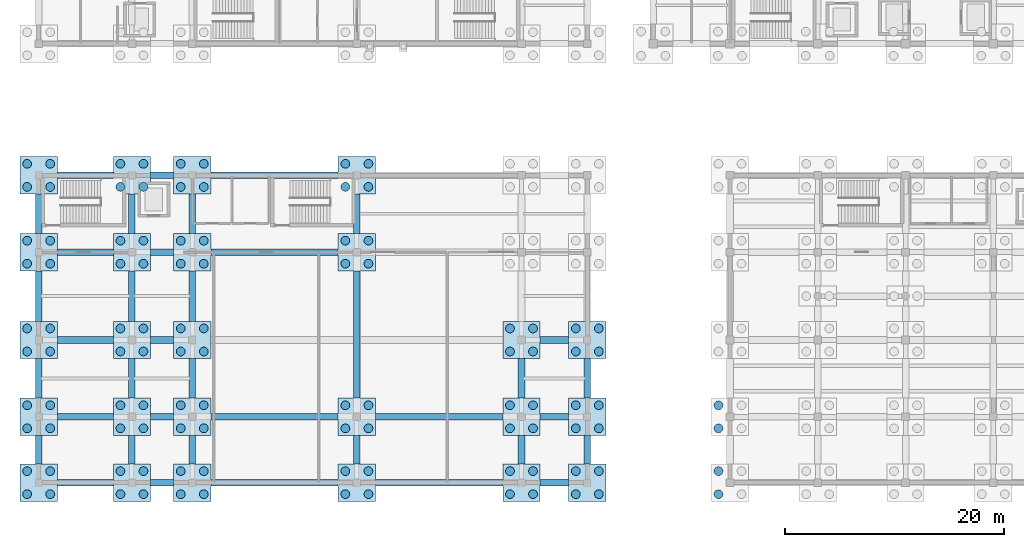
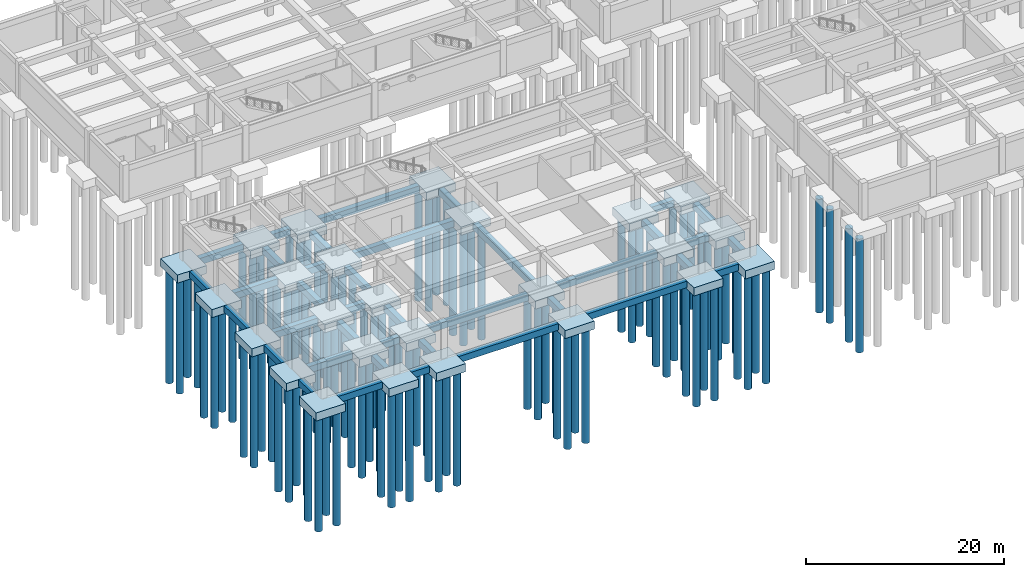
# One storey, part 1 of 28: 104 piles, 63 footings.
"""IFC4 building model written with IfcOpenShell, lengths in metres."""

from ifc_helpers import new_model, si_unit, direction, frame, origin, origin_2d, place, context, subcontext, project, spatial, rectangle, circle, extrude, material, material_profile, profile_set, type_object, element, save


model = new_model("IFC4")

# Units and contexts
model_context = context("Model", 3, precision=1e-05, world=origin(), true_north=direction((0.0, 1.0)))
body_context = subcontext(model_context, "Body", "Model", "MODEL_VIEW")
ifc_project = project(units=[si_unit("LENGTHUNIT", "METRE"), si_unit("AREAUNIT", "SQUARE_METRE"), si_unit("VOLUMEUNIT", "CUBIC_METRE"), si_unit("PLANEANGLEUNIT", "RADIAN"), si_unit("MASSUNIT", "GRAM", prefix="KILO")], contexts=[model_context])

# Site, building, storey
site_placement = place(None, origin())
site = spatial("IfcSite", under=ifc_project, at=site_placement, CompositionType="ELEMENT")
building_placement = place(site_placement, origin())
building = spatial("IfcBuilding", under=site, at=building_placement, Name="Naurynzar Civic Courthouse", CompositionType="ELEMENT")
storey_placement = place(building_placement, frame((0.0, 0.0, -4.5)))
storey = spatial("IfcBuildingStorey", under=building, at=storey_placement, Name="B01", CompositionType="ELEMENT", Elevation=-4.5)

# Footings
ifc_material_1 = material(Name="Concrete C35/45", Category="concrete")
footing_type_1 = type_object("IfcFootingType", Name="CAP-4A-3400", PredefinedType="PILE_CAP", material=ifc_material_1)
for number, where, z_axis, x_axis, name in (
    (1, (6.0, 4.0, -1.39990234375), (0.0, 0.0, 1.0), (1.0, 0.0, 0.0), "V4 pile cap 1"),
    (2, (6.0, 10.0, -1.39990234375), (0.0, 0.0, 1.0), (1.0, 0.0, 0.0), "V4 pile cap 2"),
    (3, (6.0, 17.0, -1.39990234375), (0.0, 0.0, 1.0), (1.0, 0.0, 0.0), "V4 pile cap 3"),
    (4, (6.0, 25.0, -1.39990234375), (0.0, 0.0, 1.0), (1.0, 0.0, 0.0), "V4 pile cap 4"),
    (5, (6.0, 32.0, -1.39990234375), (0.0, 0.0, 1.0), (1.0, 0.0, 0.0), "V4 pile cap 5"),
    (6, (14.5, 4.0, -1.39990234375), (0.0, 0.0, 1.0), (1.0, 0.0, 0.0), "V4 pile cap 6"),
    (7, (14.5, 10.0, -1.39990234375), (0.0, 0.0, 1.0), (1.0, 0.0, 0.0), "V4 pile cap 7"),
    (8, (14.5, 17.0, -1.39990234375), (0.0, 0.0, 1.0), (1.0, 0.0, 0.0), "V4 pile cap 8"),
    (9, (14.5, 25.0, -1.39990234375), (0.0, 0.0, 1.0), (1.0, 0.0, 0.0), "V4 pile cap 9"),
    (10, (14.5, 32.0, -1.39990234375), (0.0, 0.0, 1.0), (1.0, 0.0, 0.0), "V4 pile cap 10"),
    (11, (20.0, 4.0, -1.39990234375), (0.0, 0.0, 1.0), (1.0, 0.0, 0.0), "V4 pile cap 11"),
    (12, (20.0, 10.0, -1.39990234375), (0.0, 0.0, 1.0), (1.0, 0.0, 0.0), "V4 pile cap 12"),
    (13, (20.0, 17.0, -1.39990234375), (0.0, 0.0, 1.0), (1.0, 0.0, 0.0), "V4 pile cap 13"),
    (14, (20.0, 25.0, -1.39990234375), (0.0, 0.0, 1.0), (1.0, 0.0, 0.0), "V4 pile cap 14"),
    (15, (20.0, 32.0, -1.39990234375), (0.0, 0.0, 1.0), (1.0, 0.0, 0.0), "V4 pile cap 15"),
    (16, (35.0, 4.0, -1.39990234375), (0.0, 0.0, 1.0), (1.0, 0.0, 0.0), "V4 pile cap 16"),
    (17, (35.0, 10.0, -1.39990234375), (0.0, 0.0, 1.0), (1.0, 0.0, 0.0), "V4 pile cap 17"),
    (18, (35.0, 25.0, -1.39990234375), (0.0, 0.0, 1.0), (1.0, 0.0, 0.0), "V4 pile cap 18"),
    (19, (35.0, 32.0, -1.39990234375), (0.0, 0.0, 1.0), (1.0, 0.0, 0.0), "V4 pile cap 19"),
    (20, (50.0, 4.0, -1.39990234375), (0.0, 0.0, 1.0), (1.0, 0.0, 0.0), "V4 pile cap 20"),
    (21, (50.0, 10.0, -1.39990234375), (0.0, 0.0, 1.0), (1.0, 0.0, 0.0), "V4 pile cap 21"),
    (22, (50.0, 17.0, -1.39990234375), (0.0, 0.0, 1.0), (1.0, 0.0, 0.0), "V4 pile cap 22"),
    (23, (56.0, 4.0, -1.39990234375), (0.0, 0.0, 1.0), (1.0, 0.0, 0.0), "V4 pile cap 25"),
    (24, (56.0, 10.0, -1.39990234375), (0.0, 0.0, 1.0), (1.0, 0.0, 0.0), "V4 pile cap 26"),
    (25, (56.0, 17.0, -1.39990234375), (0.0, 0.0, 1.0), (1.0, 0.0, 0.0), "V4 pile cap 27"),
):
    element("IfcFooting", number, at=place(storey_placement, frame(where, z_axis=z_axis, x_axis=x_axis)), inside=storey, type_object=footing_type_1, Name=name, PredefinedType="PILE_CAP", context=body_context, shape_type="SweptSolid", body=[
        extrude(rectangle(XDim=3.39990234375, YDim=3.39990234375, at=origin_2d()), origin(), (0.0, 0.0, 1.0), 1.0),
    ])
ifc_material_2 = material(Name="Concrete C35/45", Category="concrete")
ifc_material_profile_1 = material_profile(ifc_material_2, rectangle(XDim=0.60009765625, YDim=0.800048828125, at=origin_2d()), Name="GB 600x800")
ifc_profile_set_1 = profile_set([ifc_material_profile_1], Name="Concrete C35/45")
footing_type_2 = type_object("IfcFootingType", Name="GB-600x800", PredefinedType="FOOTING_BEAM", material=ifc_profile_set_1)
footing_1_placement = place(storey_placement, frame((7.699951171875, 4.0, -0.800048828125), z_axis=(1.0, 0.0, 0.0), x_axis=(0.0, 1.0, 0.0)))
element("IfcFooting", 26, at=footing_1_placement, inside=storey, type_object=footing_type_2, Name="V4 ground tie beam X-1", PredefinedType="FOOTING_BEAM", context=body_context, shape_type="SweptSolid", body=[
    extrude(rectangle(XDim=0.60009765625, YDim=0.800048828125, at=origin_2d()), origin(), (0.0, 0.0, 1.0), 5.10009765625),
])
footing_2_placement = place(storey_placement, frame((16.199951171875, 4.0, -0.800048828125), z_axis=(1.0, 0.0, 0.0), x_axis=(0.0, 1.0, 0.0)))
element("IfcFooting", 27, at=footing_2_placement, inside=storey, type_object=footing_type_2, Name="V4 ground tie beam X-2", PredefinedType="FOOTING_BEAM", context=body_context, shape_type="SweptSolid", body=[
    extrude(rectangle(XDim=0.60009765625, YDim=0.800048828125, at=origin_2d()), origin(), (0.0, 0.0, 1.0), 2.10009765625),
])
for number, where, z_axis, x_axis, name in (
    (28, (21.699951171875, 4.0, -0.800048828125), (1.0, 0.0, 0.0), (0.0, 1.0, 0.0), "V4 ground tie beam X-3"),
    (29, (36.699951171875, 4.0, -0.800048828125), (1.0, 0.0, 0.0), (0.0, 1.0, 0.0), "V4 ground tie beam X-4"),
):
    element("IfcFooting", number, at=place(storey_placement, frame(where, z_axis=z_axis, x_axis=x_axis)), inside=storey, type_object=footing_type_2, Name=name, PredefinedType="FOOTING_BEAM", context=body_context, shape_type="SweptSolid", body=[
        extrude(rectangle(XDim=0.60009765625, YDim=0.800048828125, at=origin_2d()), origin(), (0.0, 0.0, 1.0), 11.60009765625),
    ])
footing_3_placement = place(storey_placement, frame((51.699951171875, 4.0, -0.800048828125), z_axis=(1.0, 0.0, 0.0), x_axis=(0.0, 1.0, 0.0)))
element("IfcFooting", 30, at=footing_3_placement, inside=storey, type_object=footing_type_2, Name="V4 ground tie beam X-5", PredefinedType="FOOTING_BEAM", context=body_context, shape_type="SweptSolid", body=[
    extrude(rectangle(XDim=0.60009765625, YDim=0.800048828125, at=origin_2d()), origin(), (0.0, 0.0, 1.0), 2.60009765625),
])
footing_4_placement = place(storey_placement, frame((7.699951171875, 10.0, -0.800048828125), z_axis=(1.0, 0.0, 0.0), x_axis=(0.0, 1.0, 0.0)))
element("IfcFooting", 31, at=footing_4_placement, inside=storey, type_object=footing_type_2, Name="V4 ground tie beam X-6", PredefinedType="FOOTING_BEAM", context=body_context, shape_type="SweptSolid", body=[
    extrude(rectangle(XDim=0.60009765625, YDim=0.800048828125, at=origin_2d()), origin(), (0.0, 0.0, 1.0), 5.10009765625),
])
footing_5_placement = place(storey_placement, frame((16.199951171875, 10.0, -0.800048828125), z_axis=(1.0, 0.0, 0.0), x_axis=(0.0, 1.0, 0.0)))
element("IfcFooting", 32, at=footing_5_placement, inside=storey, type_object=footing_type_2, Name="V4 ground tie beam X-7", PredefinedType="FOOTING_BEAM", context=body_context, shape_type="SweptSolid", body=[
    extrude(rectangle(XDim=0.60009765625, YDim=0.800048828125, at=origin_2d()), origin(), (0.0, 0.0, 1.0), 2.10009765625),
])
for number, where, z_axis, x_axis, name in (
    (33, (21.699951171875, 10.0, -0.800048828125), (1.0, 0.0, 0.0), (0.0, 1.0, 0.0), "V4 ground tie beam X-8"),
    (34, (36.699951171875, 10.0, -0.800048828125), (1.0, 0.0, 0.0), (0.0, 1.0, 0.0), "V4 ground tie beam X-9"),
):
    element("IfcFooting", number, at=place(storey_placement, frame(where, z_axis=z_axis, x_axis=x_axis)), inside=storey, type_object=footing_type_2, Name=name, PredefinedType="FOOTING_BEAM", context=body_context, shape_type="SweptSolid", body=[
        extrude(rectangle(XDim=0.60009765625, YDim=0.800048828125, at=origin_2d()), origin(), (0.0, 0.0, 1.0), 11.60009765625),
    ])
footing_6_placement = place(storey_placement, frame((51.699951171875, 10.0, -0.800048828125), z_axis=(1.0, 0.0, 0.0), x_axis=(0.0, 1.0, 0.0)))
element("IfcFooting", 35, at=footing_6_placement, inside=storey, type_object=footing_type_2, Name="V4 ground tie beam X-10", PredefinedType="FOOTING_BEAM", context=body_context, shape_type="SweptSolid", body=[
    extrude(rectangle(XDim=0.60009765625, YDim=0.800048828125, at=origin_2d()), origin(), (0.0, 0.0, 1.0), 2.60009765625),
])
footing_7_placement = place(storey_placement, frame((7.699951171875, 17.0, -0.800048828125), z_axis=(1.0, 0.0, 0.0), x_axis=(0.0, 1.0, 0.0)))
element("IfcFooting", 36, at=footing_7_placement, inside=storey, type_object=footing_type_2, Name="V4 ground tie beam X-11", PredefinedType="FOOTING_BEAM", context=body_context, shape_type="SweptSolid", body=[
    extrude(rectangle(XDim=0.60009765625, YDim=0.800048828125, at=origin_2d()), origin(), (0.0, 0.0, 1.0), 5.10009765625),
])
footing_8_placement = place(storey_placement, frame((16.199951171875, 17.0, -0.800048828125), z_axis=(1.0, 0.0, 0.0), x_axis=(0.0, 1.0, 0.0)))
element("IfcFooting", 37, at=footing_8_placement, inside=storey, type_object=footing_type_2, Name="V4 ground tie beam X-12", PredefinedType="FOOTING_BEAM", context=body_context, shape_type="SweptSolid", body=[
    extrude(rectangle(XDim=0.60009765625, YDim=0.800048828125, at=origin_2d()), origin(), (0.0, 0.0, 1.0), 2.10009765625),
])
footing_9_placement = place(storey_placement, frame((51.699951171875, 17.0, -0.800048828125), z_axis=(1.0, 0.0, 0.0), x_axis=(0.0, 1.0, 0.0)))
element("IfcFooting", 38, at=footing_9_placement, inside=storey, type_object=footing_type_2, Name="V4 ground tie beam X-13", PredefinedType="FOOTING_BEAM", context=body_context, shape_type="SweptSolid", body=[
    extrude(rectangle(XDim=0.60009765625, YDim=0.800048828125, at=origin_2d()), origin(), (0.0, 0.0, 1.0), 2.60009765625),
])
footing_10_placement = place(storey_placement, frame((7.699951171875, 25.0, -0.800048828125), z_axis=(1.0, 0.0, 0.0), x_axis=(0.0, 1.0, 0.0)))
element("IfcFooting", 39, at=footing_10_placement, inside=storey, type_object=footing_type_2, Name="V4 ground tie beam X-14", PredefinedType="FOOTING_BEAM", context=body_context, shape_type="SweptSolid", body=[
    extrude(rectangle(XDim=0.60009765625, YDim=0.800048828125, at=origin_2d()), origin(), (0.0, 0.0, 1.0), 5.10009765625),
])
footing_11_placement = place(storey_placement, frame((16.199951171875, 25.0, -0.800048828125), z_axis=(1.0, 0.0, 0.0), x_axis=(0.0, 1.0, 0.0)))
element("IfcFooting", 40, at=footing_11_placement, inside=storey, type_object=footing_type_2, Name="V4 ground tie beam X-15", PredefinedType="FOOTING_BEAM", context=body_context, shape_type="SweptSolid", body=[
    extrude(rectangle(XDim=0.60009765625, YDim=0.800048828125, at=origin_2d()), origin(), (0.0, 0.0, 1.0), 2.10009765625),
])
footing_12_placement = place(storey_placement, frame((21.699951171875, 25.0, -0.800048828125), z_axis=(1.0, 0.0, 0.0), x_axis=(0.0, 1.0, 0.0)))
element("IfcFooting", 41, at=footing_12_placement, inside=storey, type_object=footing_type_2, Name="V4 ground tie beam X-16", PredefinedType="FOOTING_BEAM", context=body_context, shape_type="SweptSolid", body=[
    extrude(rectangle(XDim=0.60009765625, YDim=0.800048828125, at=origin_2d()), origin(), (0.0, 0.0, 1.0), 11.60009765625),
])
footing_13_placement = place(storey_placement, frame((7.699951171875, 32.0, -0.800048828125), z_axis=(1.0, 0.0, 0.0), x_axis=(0.0, 1.0, 0.0)))
element("IfcFooting", 42, at=footing_13_placement, inside=storey, type_object=footing_type_2, Name="V4 ground tie beam X-19", PredefinedType="FOOTING_BEAM", context=body_context, shape_type="SweptSolid", body=[
    extrude(rectangle(XDim=0.60009765625, YDim=0.800048828125, at=origin_2d()), origin(), (0.0, 0.0, 1.0), 5.10009765625),
])
footing_14_placement = place(storey_placement, frame((16.199951171875, 32.0, -0.800048828125), z_axis=(1.0, 0.0, 0.0), x_axis=(0.0, 1.0, 0.0)))
element("IfcFooting", 43, at=footing_14_placement, inside=storey, type_object=footing_type_2, Name="V4 ground tie beam X-20", PredefinedType="FOOTING_BEAM", context=body_context, shape_type="SweptSolid", body=[
    extrude(rectangle(XDim=0.60009765625, YDim=0.800048828125, at=origin_2d()), origin(), (0.0, 0.0, 1.0), 2.10009765625),
])
footing_15_placement = place(storey_placement, frame((21.699951171875, 32.0, -0.800048828125), z_axis=(1.0, 0.0, 0.0), x_axis=(0.0, 1.0, 0.0)))
element("IfcFooting", 44, at=footing_15_placement, inside=storey, type_object=footing_type_2, Name="V4 ground tie beam X-21", PredefinedType="FOOTING_BEAM", context=body_context, shape_type="SweptSolid", body=[
    extrude(rectangle(XDim=0.60009765625, YDim=0.800048828125, at=origin_2d()), origin(), (0.0, 0.0, 1.0), 11.60009765625),
])
footing_16_placement = place(storey_placement, frame((6.0, 5.699951171875, -0.800048828125), z_axis=(0.0, 1.0, 0.0), x_axis=(-1.0, 0.0, 0.0)))
element("IfcFooting", 45, at=footing_16_placement, inside=storey, type_object=footing_type_2, Name="V4 ground tie beam Y-24", PredefinedType="FOOTING_BEAM", context=body_context, shape_type="SweptSolid", body=[
    extrude(rectangle(XDim=0.60009765625, YDim=0.800048828125, at=origin_2d()), origin(), (0.0, 0.0, 1.0), 2.60009765625),
])
footing_17_placement = place(storey_placement, frame((6.0, 11.699951171875, -0.800048828125), z_axis=(0.0, 1.0, 0.0), x_axis=(-1.0, 0.0, 0.0)))
element("IfcFooting", 46, at=footing_17_placement, inside=storey, type_object=footing_type_2, Name="V4 ground tie beam Y-25", PredefinedType="FOOTING_BEAM", context=body_context, shape_type="SweptSolid", body=[
    extrude(rectangle(XDim=0.60009765625, YDim=0.800048828125, at=origin_2d()), origin(), (0.0, 0.0, 1.0), 3.60009765625),
])
footing_18_placement = place(storey_placement, frame((6.0, 18.699951171875, -0.800048828125), z_axis=(0.0, 1.0, 0.0), x_axis=(-1.0, 0.0, 0.0)))
element("IfcFooting", 47, at=footing_18_placement, inside=storey, type_object=footing_type_2, Name="V4 ground tie beam Y-26", PredefinedType="FOOTING_BEAM", context=body_context, shape_type="SweptSolid", body=[
    extrude(rectangle(XDim=0.60009765625, YDim=0.800048828125, at=origin_2d()), origin(), (0.0, 0.0, 1.0), 4.60009765625),
])
footing_19_placement = place(storey_placement, frame((6.0, 26.699951171875, -0.800048828125), z_axis=(0.0, 1.0, 0.0), x_axis=(-1.0, 0.0, 0.0)))
element("IfcFooting", 48, at=footing_19_placement, inside=storey, type_object=footing_type_2, Name="V4 ground tie beam Y-27", PredefinedType="FOOTING_BEAM", context=body_context, shape_type="SweptSolid", body=[
    extrude(rectangle(XDim=0.60009765625, YDim=0.800048828125, at=origin_2d()), origin(), (0.0, 0.0, 1.0), 3.60009765625),
])
footing_20_placement = place(storey_placement, frame((14.5, 5.699951171875, -0.800048828125), z_axis=(0.0, 1.0, 0.0), x_axis=(-1.0, 0.0, 0.0)))
element("IfcFooting", 49, at=footing_20_placement, inside=storey, type_object=footing_type_2, Name="V4 ground tie beam Y-28", PredefinedType="FOOTING_BEAM", context=body_context, shape_type="SweptSolid", body=[
    extrude(rectangle(XDim=0.60009765625, YDim=0.800048828125, at=origin_2d()), origin(), (0.0, 0.0, 1.0), 2.60009765625),
])
footing_21_placement = place(storey_placement, frame((14.5, 11.699951171875, -0.800048828125), z_axis=(0.0, 1.0, 0.0), x_axis=(-1.0, 0.0, 0.0)))
element("IfcFooting", 50, at=footing_21_placement, inside=storey, type_object=footing_type_2, Name="V4 ground tie beam Y-29", PredefinedType="FOOTING_BEAM", context=body_context, shape_type="SweptSolid", body=[
    extrude(rectangle(XDim=0.60009765625, YDim=0.800048828125, at=origin_2d()), origin(), (0.0, 0.0, 1.0), 3.60009765625),
])
footing_22_placement = place(storey_placement, frame((14.5, 18.699951171875, -0.800048828125), z_axis=(0.0, 1.0, 0.0), x_axis=(-1.0, 0.0, 0.0)))
element("IfcFooting", 51, at=footing_22_placement, inside=storey, type_object=footing_type_2, Name="V4 ground tie beam Y-30", PredefinedType="FOOTING_BEAM", context=body_context, shape_type="SweptSolid", body=[
    extrude(rectangle(XDim=0.60009765625, YDim=0.800048828125, at=origin_2d()), origin(), (0.0, 0.0, 1.0), 4.60009765625),
])
footing_23_placement = place(storey_placement, frame((14.5, 26.699951171875, -0.800048828125), z_axis=(0.0, 1.0, 0.0), x_axis=(-1.0, 0.0, 0.0)))
element("IfcFooting", 52, at=footing_23_placement, inside=storey, type_object=footing_type_2, Name="V4 ground tie beam Y-31", PredefinedType="FOOTING_BEAM", context=body_context, shape_type="SweptSolid", body=[
    extrude(rectangle(XDim=0.60009765625, YDim=0.800048828125, at=origin_2d()), origin(), (0.0, 0.0, 1.0), 3.60009765625),
])
footing_24_placement = place(storey_placement, frame((20.0, 5.699951171875, -0.800048828125), z_axis=(0.0, 1.0, 0.0), x_axis=(-1.0, 0.0, 0.0)))
element("IfcFooting", 53, at=footing_24_placement, inside=storey, type_object=footing_type_2, Name="V4 ground tie beam Y-32", PredefinedType="FOOTING_BEAM", context=body_context, shape_type="SweptSolid", body=[
    extrude(rectangle(XDim=0.60009765625, YDim=0.800048828125, at=origin_2d()), origin(), (0.0, 0.0, 1.0), 2.60009765625),
])
footing_25_placement = place(storey_placement, frame((20.0, 11.699951171875, -0.800048828125), z_axis=(0.0, 1.0, 0.0), x_axis=(-1.0, 0.0, 0.0)))
element("IfcFooting", 54, at=footing_25_placement, inside=storey, type_object=footing_type_2, Name="V4 ground tie beam Y-33", PredefinedType="FOOTING_BEAM", context=body_context, shape_type="SweptSolid", body=[
    extrude(rectangle(XDim=0.60009765625, YDim=0.800048828125, at=origin_2d()), origin(), (0.0, 0.0, 1.0), 3.60009765625),
])
footing_26_placement = place(storey_placement, frame((20.0, 18.699951171875, -0.800048828125), z_axis=(0.0, 1.0, 0.0), x_axis=(-1.0, 0.0, 0.0)))
element("IfcFooting", 55, at=footing_26_placement, inside=storey, type_object=footing_type_2, Name="V4 ground tie beam Y-34", PredefinedType="FOOTING_BEAM", context=body_context, shape_type="SweptSolid", body=[
    extrude(rectangle(XDim=0.60009765625, YDim=0.800048828125, at=origin_2d()), origin(), (0.0, 0.0, 1.0), 4.60009765625),
])
footing_27_placement = place(storey_placement, frame((20.0, 26.699951171875, -0.800048828125), z_axis=(0.0, 1.0, 0.0), x_axis=(-1.0, 0.0, 0.0)))
element("IfcFooting", 56, at=footing_27_placement, inside=storey, type_object=footing_type_2, Name="V4 ground tie beam Y-35", PredefinedType="FOOTING_BEAM", context=body_context, shape_type="SweptSolid", body=[
    extrude(rectangle(XDim=0.60009765625, YDim=0.800048828125, at=origin_2d()), origin(), (0.0, 0.0, 1.0), 3.60009765625),
])
footing_28_placement = place(storey_placement, frame((35.0, 5.699951171875, -0.800048828125), z_axis=(0.0, 1.0, 0.0), x_axis=(-1.0, 0.0, 0.0)))
element("IfcFooting", 57, at=footing_28_placement, inside=storey, type_object=footing_type_2, Name="V4 ground tie beam Y-36", PredefinedType="FOOTING_BEAM", context=body_context, shape_type="SweptSolid", body=[
    extrude(rectangle(XDim=0.60009765625, YDim=0.800048828125, at=origin_2d()), origin(), (0.0, 0.0, 1.0), 2.60009765625),
])
footing_29_placement = place(storey_placement, frame((35.0, 11.699951171875, -0.800048828125), z_axis=(0.0, 1.0, 0.0), x_axis=(-1.0, 0.0, 0.0)))
element("IfcFooting", 58, at=footing_29_placement, inside=storey, type_object=footing_type_2, Name="V4 ground tie beam Y-37", PredefinedType="FOOTING_BEAM", context=body_context, shape_type="SweptSolid", body=[
    extrude(rectangle(XDim=0.60009765625, YDim=0.800048828125, at=origin_2d()), origin(), (0.0, 0.0, 1.0), 11.60009765625),
])
footing_30_placement = place(storey_placement, frame((35.0, 26.699951171875, -0.800048828125), z_axis=(0.0, 1.0, 0.0), x_axis=(-1.0, 0.0, 0.0)))
element("IfcFooting", 59, at=footing_30_placement, inside=storey, type_object=footing_type_2, Name="V4 ground tie beam Y-38", PredefinedType="FOOTING_BEAM", context=body_context, shape_type="SweptSolid", body=[
    extrude(rectangle(XDim=0.60009765625, YDim=0.800048828125, at=origin_2d()), origin(), (0.0, 0.0, 1.0), 3.60009765625),
])
footing_31_placement = place(storey_placement, frame((50.0, 5.699951171875, -0.800048828125), z_axis=(0.0, 1.0, 0.0), x_axis=(-1.0, 0.0, 0.0)))
element("IfcFooting", 60, at=footing_31_placement, inside=storey, type_object=footing_type_2, Name="V4 ground tie beam Y-39", PredefinedType="FOOTING_BEAM", context=body_context, shape_type="SweptSolid", body=[
    extrude(rectangle(XDim=0.60009765625, YDim=0.800048828125, at=origin_2d()), origin(), (0.0, 0.0, 1.0), 2.60009765625),
])
footing_32_placement = place(storey_placement, frame((50.0, 11.699951171875, -0.800048828125), z_axis=(0.0, 1.0, 0.0), x_axis=(-1.0, 0.0, 0.0)))
element("IfcFooting", 61, at=footing_32_placement, inside=storey, type_object=footing_type_2, Name="V4 ground tie beam Y-40", PredefinedType="FOOTING_BEAM", context=body_context, shape_type="SweptSolid", body=[
    extrude(rectangle(XDim=0.60009765625, YDim=0.800048828125, at=origin_2d()), origin(), (0.0, 0.0, 1.0), 3.60009765625),
])
footing_33_placement = place(storey_placement, frame((56.0, 5.699951171875, -0.800048828125), z_axis=(0.0, 1.0, 0.0), x_axis=(-1.0, 0.0, 0.0)))
element("IfcFooting", 62, at=footing_33_placement, inside=storey, type_object=footing_type_2, Name="V4 ground tie beam Y-43", PredefinedType="FOOTING_BEAM", context=body_context, shape_type="SweptSolid", body=[
    extrude(rectangle(XDim=0.60009765625, YDim=0.800048828125, at=origin_2d()), origin(), (0.0, 0.0, 1.0), 2.60009765625),
])
footing_34_placement = place(storey_placement, frame((56.0, 11.699951171875, -0.800048828125), z_axis=(0.0, 1.0, 0.0), x_axis=(-1.0, 0.0, 0.0)))
element("IfcFooting", 63, at=footing_34_placement, inside=storey, type_object=footing_type_2, Name="V4 ground tie beam Y-44", PredefinedType="FOOTING_BEAM", context=body_context, shape_type="SweptSolid", body=[
    extrude(rectangle(XDim=0.60009765625, YDim=0.800048828125, at=origin_2d()), origin(), (0.0, 0.0, 1.0), 3.60009765625),
])

# Piles
ifc_material_3 = material(Name="Concrete C35/45", Category="concrete")
ifc_material_profile_2 = material_profile(ifc_material_3, circle(Radius=0.39990234375, at=origin_2d()), Name="PILE D800")
ifc_profile_set_2 = profile_set([ifc_material_profile_2], Name="Concrete C35/45")
pile_type = type_object("IfcPileType", Name="PILE-BORED-D800", PredefinedType="BORED", material=ifc_profile_set_2)
for number, where, z_axis, x_axis, name in (
    (64, (67.949951171875, 2.949951171875, -1.39990234375), (0.0, 0.0, -1.0), (1.0, 0.0, 0.0), "V3 bored pile 1.1"),
    (65, (67.949951171875, 5.050048828125, -1.39990234375), (0.0, 0.0, -1.0), (1.0, 0.0, 0.0), "V3 bored pile 1.3"),
    (66, (67.949951171875, 8.949951171875, -1.39990234375), (0.0, 0.0, -1.0), (1.0, 0.0, 0.0), "V3 bored pile 2.1"),
    (67, (67.949951171875, 11.050048828125, -1.39990234375), (0.0, 0.0, -1.0), (1.0, 0.0, 0.0), "V3 bored pile 2.3"),
    (68, (4.949951171875, 2.949951171875, -1.39990234375), (0.0, 0.0, -1.0), (1.0, 0.0, 0.0), "V4 bored pile 1.1"),
    (69, (7.050048828125, 2.949951171875, -1.39990234375), (0.0, 0.0, -1.0), (1.0, 0.0, 0.0), "V4 bored pile 1.2"),
    (70, (4.949951171875, 5.050048828125, -1.39990234375), (0.0, 0.0, -1.0), (1.0, 0.0, 0.0), "V4 bored pile 1.3"),
    (71, (7.050048828125, 5.050048828125, -1.39990234375), (0.0, 0.0, -1.0), (1.0, 0.0, 0.0), "V4 bored pile 1.4"),
    (72, (4.949951171875, 8.949951171875, -1.39990234375), (0.0, 0.0, -1.0), (1.0, 0.0, 0.0), "V4 bored pile 2.1"),
    (73, (7.050048828125, 8.949951171875, -1.39990234375), (0.0, 0.0, -1.0), (1.0, 0.0, 0.0), "V4 bored pile 2.2"),
    (74, (4.949951171875, 11.050048828125, -1.39990234375), (0.0, 0.0, -1.0), (1.0, 0.0, 0.0), "V4 bored pile 2.3"),
    (75, (7.050048828125, 11.050048828125, -1.39990234375), (0.0, 0.0, -1.0), (1.0, 0.0, 0.0), "V4 bored pile 2.4"),
    (76, (4.949951171875, 15.949951171875, -1.39990234375), (0.0, 0.0, -1.0), (1.0, 0.0, 0.0), "V4 bored pile 3.1"),
    (77, (7.050048828125, 15.949951171875, -1.39990234375), (0.0, 0.0, -1.0), (1.0, 0.0, 0.0), "V4 bored pile 3.2"),
    (78, (4.949951171875, 18.050048828125, -1.39990234375), (0.0, 0.0, -1.0), (1.0, 0.0, 0.0), "V4 bored pile 3.3"),
    (79, (7.050048828125, 18.050048828125, -1.39990234375), (0.0, 0.0, -1.0), (1.0, 0.0, 0.0), "V4 bored pile 3.4"),
    (80, (4.949951171875, 23.949951171875, -1.39990234375), (0.0, 0.0, -1.0), (1.0, 0.0, 0.0), "V4 bored pile 4.1"),
    (81, (7.050048828125, 23.949951171875, -1.39990234375), (0.0, 0.0, -1.0), (1.0, 0.0, 0.0), "V4 bored pile 4.2"),
    (82, (4.949951171875, 26.050048828125, -1.39990234375), (0.0, 0.0, -1.0), (1.0, 0.0, 0.0), "V4 bored pile 4.3"),
    (83, (7.050048828125, 26.050048828125, -1.39990234375), (0.0, 0.0, -1.0), (1.0, 0.0, 0.0), "V4 bored pile 4.4"),
    (84, (4.949951171875, 30.949951171875, -1.39990234375), (0.0, 0.0, -1.0), (1.0, 0.0, 0.0), "V4 bored pile 5.1"),
    (85, (7.050048828125, 30.949951171875, -1.39990234375), (0.0, 0.0, -1.0), (1.0, 0.0, 0.0), "V4 bored pile 5.2"),
    (86, (4.949951171875, 33.050048828125, -1.39990234375), (0.0, 0.0, -1.0), (1.0, 0.0, 0.0), "V4 bored pile 5.3"),
    (87, (7.050048828125, 33.050048828125, -1.39990234375), (0.0, 0.0, -1.0), (1.0, 0.0, 0.0), "V4 bored pile 5.4"),
    (88, (13.449951171875, 2.949951171875, -1.39990234375), (0.0, 0.0, -1.0), (1.0, 0.0, 0.0), "V4 bored pile 6.1"),
    (89, (15.550048828125, 2.949951171875, -1.39990234375), (0.0, 0.0, -1.0), (1.0, 0.0, 0.0), "V4 bored pile 6.2"),
    (90, (13.449951171875, 5.050048828125, -1.39990234375), (0.0, 0.0, -1.0), (1.0, 0.0, 0.0), "V4 bored pile 6.3"),
    (91, (15.550048828125, 5.050048828125, -1.39990234375), (0.0, 0.0, -1.0), (1.0, 0.0, 0.0), "V4 bored pile 6.4"),
    (92, (13.449951171875, 8.949951171875, -1.39990234375), (0.0, 0.0, -1.0), (1.0, 0.0, 0.0), "V4 bored pile 7.1"),
    (93, (15.550048828125, 8.949951171875, -1.39990234375), (0.0, 0.0, -1.0), (1.0, 0.0, 0.0), "V4 bored pile 7.2"),
    (94, (13.449951171875, 11.050048828125, -1.39990234375), (0.0, 0.0, -1.0), (1.0, 0.0, 0.0), "V4 bored pile 7.3"),
    (95, (15.550048828125, 11.050048828125, -1.39990234375), (0.0, 0.0, -1.0), (1.0, 0.0, 0.0), "V4 bored pile 7.4"),
    (96, (13.449951171875, 15.949951171875, -1.39990234375), (0.0, 0.0, -1.0), (1.0, 0.0, 0.0), "V4 bored pile 8.1"),
    (97, (15.550048828125, 15.949951171875, -1.39990234375), (0.0, 0.0, -1.0), (1.0, 0.0, 0.0), "V4 bored pile 8.2"),
    (98, (13.449951171875, 18.050048828125, -1.39990234375), (0.0, 0.0, -1.0), (1.0, 0.0, 0.0), "V4 bored pile 8.3"),
    (99, (15.550048828125, 18.050048828125, -1.39990234375), (0.0, 0.0, -1.0), (1.0, 0.0, 0.0), "V4 bored pile 8.4"),
    (100, (13.449951171875, 23.949951171875, -1.39990234375), (0.0, 0.0, -1.0), (1.0, 0.0, 0.0), "V4 bored pile 9.1"),
    (101, (15.550048828125, 23.949951171875, -1.39990234375), (0.0, 0.0, -1.0), (1.0, 0.0, 0.0), "V4 bored pile 9.2"),
    (102, (13.449951171875, 26.050048828125, -1.39990234375), (0.0, 0.0, -1.0), (1.0, 0.0, 0.0), "V4 bored pile 9.3"),
    (103, (15.550048828125, 26.050048828125, -1.39990234375), (0.0, 0.0, -1.0), (1.0, 0.0, 0.0), "V4 bored pile 9.4"),
    (104, (13.449951171875, 30.949951171875, -1.39990234375), (0.0, 0.0, -1.0), (1.0, 0.0, 0.0), "V4 bored pile 10.1"),
    (105, (15.550048828125, 30.949951171875, -1.39990234375), (0.0, 0.0, -1.0), (1.0, 0.0, 0.0), "V4 bored pile 10.2"),
    (106, (13.449951171875, 33.050048828125, -1.39990234375), (0.0, 0.0, -1.0), (1.0, 0.0, 0.0), "V4 bored pile 10.3"),
    (107, (15.550048828125, 33.050048828125, -1.39990234375), (0.0, 0.0, -1.0), (1.0, 0.0, 0.0), "V4 bored pile 10.4"),
    (108, (18.949951171875, 2.949951171875, -1.39990234375), (0.0, 0.0, -1.0), (1.0, 0.0, 0.0), "V4 bored pile 11.1"),
    (109, (21.050048828125, 2.949951171875, -1.39990234375), (0.0, 0.0, -1.0), (1.0, 0.0, 0.0), "V4 bored pile 11.2"),
    (110, (18.949951171875, 5.050048828125, -1.39990234375), (0.0, 0.0, -1.0), (1.0, 0.0, 0.0), "V4 bored pile 11.3"),
    (111, (21.050048828125, 5.050048828125, -1.39990234375), (0.0, 0.0, -1.0), (1.0, 0.0, 0.0), "V4 bored pile 11.4"),
    (112, (18.949951171875, 8.949951171875, -1.39990234375), (0.0, 0.0, -1.0), (1.0, 0.0, 0.0), "V4 bored pile 12.1"),
    (113, (21.050048828125, 8.949951171875, -1.39990234375), (0.0, 0.0, -1.0), (1.0, 0.0, 0.0), "V4 bored pile 12.2"),
    (114, (18.949951171875, 11.050048828125, -1.39990234375), (0.0, 0.0, -1.0), (1.0, 0.0, 0.0), "V4 bored pile 12.3"),
    (115, (21.050048828125, 11.050048828125, -1.39990234375), (0.0, 0.0, -1.0), (1.0, 0.0, 0.0), "V4 bored pile 12.4"),
    (116, (18.949951171875, 15.949951171875, -1.39990234375), (0.0, 0.0, -1.0), (1.0, 0.0, 0.0), "V4 bored pile 13.1"),
    (117, (21.050048828125, 15.949951171875, -1.39990234375), (0.0, 0.0, -1.0), (1.0, 0.0, 0.0), "V4 bored pile 13.2"),
    (118, (18.949951171875, 18.050048828125, -1.39990234375), (0.0, 0.0, -1.0), (1.0, 0.0, 0.0), "V4 bored pile 13.3"),
    (119, (21.050048828125, 18.050048828125, -1.39990234375), (0.0, 0.0, -1.0), (1.0, 0.0, 0.0), "V4 bored pile 13.4"),
    (120, (18.949951171875, 23.949951171875, -1.39990234375), (0.0, 0.0, -1.0), (1.0, 0.0, 0.0), "V4 bored pile 14.1"),
    (121, (21.050048828125, 23.949951171875, -1.39990234375), (0.0, 0.0, -1.0), (1.0, 0.0, 0.0), "V4 bored pile 14.2"),
    (122, (18.949951171875, 26.050048828125, -1.39990234375), (0.0, 0.0, -1.0), (1.0, 0.0, 0.0), "V4 bored pile 14.3"),
    (123, (21.050048828125, 26.050048828125, -1.39990234375), (0.0, 0.0, -1.0), (1.0, 0.0, 0.0), "V4 bored pile 14.4"),
    (124, (18.949951171875, 30.949951171875, -1.39990234375), (0.0, 0.0, -1.0), (1.0, 0.0, 0.0), "V4 bored pile 15.1"),
    (125, (21.050048828125, 30.949951171875, -1.39990234375), (0.0, 0.0, -1.0), (1.0, 0.0, 0.0), "V4 bored pile 15.2"),
    (126, (18.949951171875, 33.050048828125, -1.39990234375), (0.0, 0.0, -1.0), (1.0, 0.0, 0.0), "V4 bored pile 15.3"),
    (127, (21.050048828125, 33.050048828125, -1.39990234375), (0.0, 0.0, -1.0), (1.0, 0.0, 0.0), "V4 bored pile 15.4"),
    (128, (33.949951171875, 2.949951171875, -1.39990234375), (0.0, 0.0, -1.0), (1.0, 0.0, 0.0), "V4 bored pile 16.1"),
    (129, (36.050048828125, 2.949951171875, -1.39990234375), (0.0, 0.0, -1.0), (1.0, 0.0, 0.0), "V4 bored pile 16.2"),
    (130, (33.949951171875, 5.050048828125, -1.39990234375), (0.0, 0.0, -1.0), (1.0, 0.0, 0.0), "V4 bored pile 16.3"),
    (131, (36.050048828125, 5.050048828125, -1.39990234375), (0.0, 0.0, -1.0), (1.0, 0.0, 0.0), "V4 bored pile 16.4"),
    (132, (33.949951171875, 8.949951171875, -1.39990234375), (0.0, 0.0, -1.0), (1.0, 0.0, 0.0), "V4 bored pile 17.1"),
    (133, (36.050048828125, 8.949951171875, -1.39990234375), (0.0, 0.0, -1.0), (1.0, 0.0, 0.0), "V4 bored pile 17.2"),
    (134, (33.949951171875, 11.050048828125, -1.39990234375), (0.0, 0.0, -1.0), (1.0, 0.0, 0.0), "V4 bored pile 17.3"),
    (135, (36.050048828125, 11.050048828125, -1.39990234375), (0.0, 0.0, -1.0), (1.0, 0.0, 0.0), "V4 bored pile 17.4"),
    (136, (33.949951171875, 23.949951171875, -1.39990234375), (0.0, 0.0, -1.0), (1.0, 0.0, 0.0), "V4 bored pile 18.1"),
    (137, (36.050048828125, 23.949951171875, -1.39990234375), (0.0, 0.0, -1.0), (1.0, 0.0, 0.0), "V4 bored pile 18.2"),
    (138, (33.949951171875, 26.050048828125, -1.39990234375), (0.0, 0.0, -1.0), (1.0, 0.0, 0.0), "V4 bored pile 18.3"),
    (139, (36.050048828125, 26.050048828125, -1.39990234375), (0.0, 0.0, -1.0), (1.0, 0.0, 0.0), "V4 bored pile 18.4"),
    (140, (33.949951171875, 30.949951171875, -1.39990234375), (0.0, 0.0, -1.0), (1.0, 0.0, 0.0), "V4 bored pile 19.1"),
    (141, (36.050048828125, 30.949951171875, -1.39990234375), (0.0, 0.0, -1.0), (1.0, 0.0, 0.0), "V4 bored pile 19.2"),
    (142, (33.949951171875, 33.050048828125, -1.39990234375), (0.0, 0.0, -1.0), (1.0, 0.0, 0.0), "V4 bored pile 19.3"),
    (143, (36.050048828125, 33.050048828125, -1.39990234375), (0.0, 0.0, -1.0), (1.0, 0.0, 0.0), "V4 bored pile 19.4"),
    (144, (48.949951171875, 2.949951171875, -1.39990234375), (0.0, 0.0, -1.0), (1.0, 0.0, 0.0), "V4 bored pile 20.1"),
    (145, (51.050048828125, 2.949951171875, -1.39990234375), (0.0, 0.0, -1.0), (1.0, 0.0, 0.0), "V4 bored pile 20.2"),
    (146, (48.949951171875, 5.050048828125, -1.39990234375), (0.0, 0.0, -1.0), (1.0, 0.0, 0.0), "V4 bored pile 20.3"),
    (147, (51.050048828125, 5.050048828125, -1.39990234375), (0.0, 0.0, -1.0), (1.0, 0.0, 0.0), "V4 bored pile 20.4"),
    (148, (48.949951171875, 8.949951171875, -1.39990234375), (0.0, 0.0, -1.0), (1.0, 0.0, 0.0), "V4 bored pile 21.1"),
    (149, (51.050048828125, 8.949951171875, -1.39990234375), (0.0, 0.0, -1.0), (1.0, 0.0, 0.0), "V4 bored pile 21.2"),
    (150, (48.949951171875, 11.050048828125, -1.39990234375), (0.0, 0.0, -1.0), (1.0, 0.0, 0.0), "V4 bored pile 21.3"),
    (151, (51.050048828125, 11.050048828125, -1.39990234375), (0.0, 0.0, -1.0), (1.0, 0.0, 0.0), "V4 bored pile 21.4"),
    (152, (48.949951171875, 15.949951171875, -1.39990234375), (0.0, 0.0, -1.0), (1.0, 0.0, 0.0), "V4 bored pile 22.1"),
    (153, (51.050048828125, 15.949951171875, -1.39990234375), (0.0, 0.0, -1.0), (1.0, 0.0, 0.0), "V4 bored pile 22.2"),
    (154, (48.949951171875, 18.050048828125, -1.39990234375), (0.0, 0.0, -1.0), (1.0, 0.0, 0.0), "V4 bored pile 22.3"),
    (155, (51.050048828125, 18.050048828125, -1.39990234375), (0.0, 0.0, -1.0), (1.0, 0.0, 0.0), "V4 bored pile 22.4"),
    (156, (54.949951171875, 2.949951171875, -1.39990234375), (0.0, 0.0, -1.0), (1.0, 0.0, 0.0), "V4 bored pile 25.1"),
    (157, (57.050048828125, 2.949951171875, -1.39990234375), (0.0, 0.0, -1.0), (1.0, 0.0, 0.0), "V4 bored pile 25.2"),
    (158, (54.949951171875, 5.050048828125, -1.39990234375), (0.0, 0.0, -1.0), (1.0, 0.0, 0.0), "V4 bored pile 25.3"),
    (159, (57.050048828125, 5.050048828125, -1.39990234375), (0.0, 0.0, -1.0), (1.0, 0.0, 0.0), "V4 bored pile 25.4"),
    (160, (54.949951171875, 8.949951171875, -1.39990234375), (0.0, 0.0, -1.0), (1.0, 0.0, 0.0), "V4 bored pile 26.1"),
    (161, (57.050048828125, 8.949951171875, -1.39990234375), (0.0, 0.0, -1.0), (1.0, 0.0, 0.0), "V4 bored pile 26.2"),
    (162, (54.949951171875, 11.050048828125, -1.39990234375), (0.0, 0.0, -1.0), (1.0, 0.0, 0.0), "V4 bored pile 26.3"),
    (163, (57.050048828125, 11.050048828125, -1.39990234375), (0.0, 0.0, -1.0), (1.0, 0.0, 0.0), "V4 bored pile 26.4"),
    (164, (54.949951171875, 15.949951171875, -1.39990234375), (0.0, 0.0, -1.0), (1.0, 0.0, 0.0), "V4 bored pile 27.1"),
    (165, (57.050048828125, 15.949951171875, -1.39990234375), (0.0, 0.0, -1.0), (1.0, 0.0, 0.0), "V4 bored pile 27.2"),
    (166, (54.949951171875, 18.050048828125, -1.39990234375), (0.0, 0.0, -1.0), (1.0, 0.0, 0.0), "V4 bored pile 27.3"),
    (167, (57.050048828125, 18.050048828125, -1.39990234375), (0.0, 0.0, -1.0), (1.0, 0.0, 0.0), "V4 bored pile 27.4"),
):
    element("IfcPile", number, at=place(storey_placement, frame(where, z_axis=z_axis, x_axis=x_axis)), inside=storey, type_object=pile_type, Name=name, PredefinedType="BORED", context=body_context, shape_type="SweptSolid", body=[
        extrude(circle(Radius=0.39990234375, at=origin_2d()), origin(), (0.0, 0.0, 1.0), 14.0),
    ])

save(model, "model.ifc")
